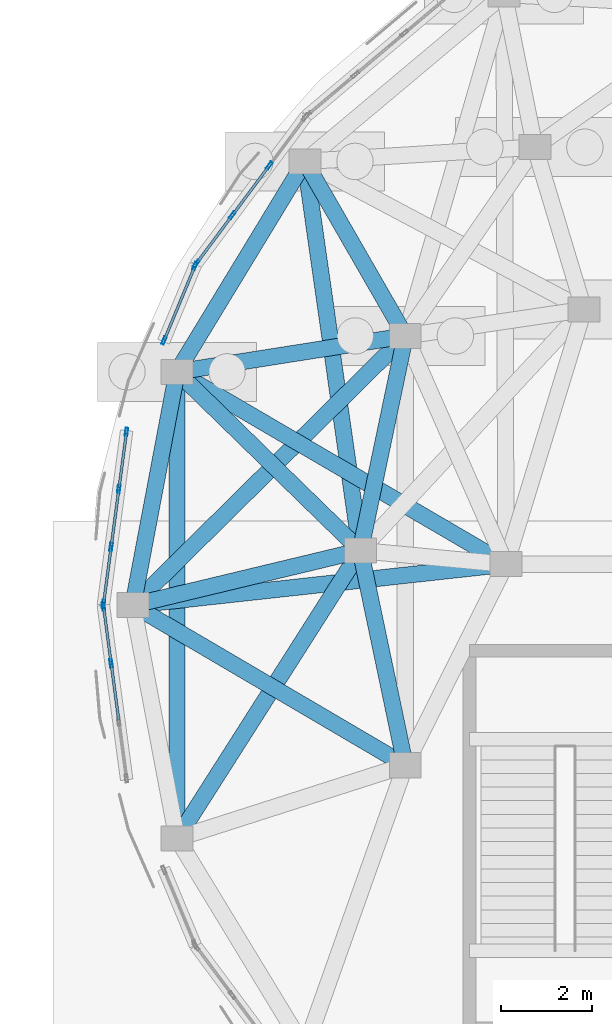
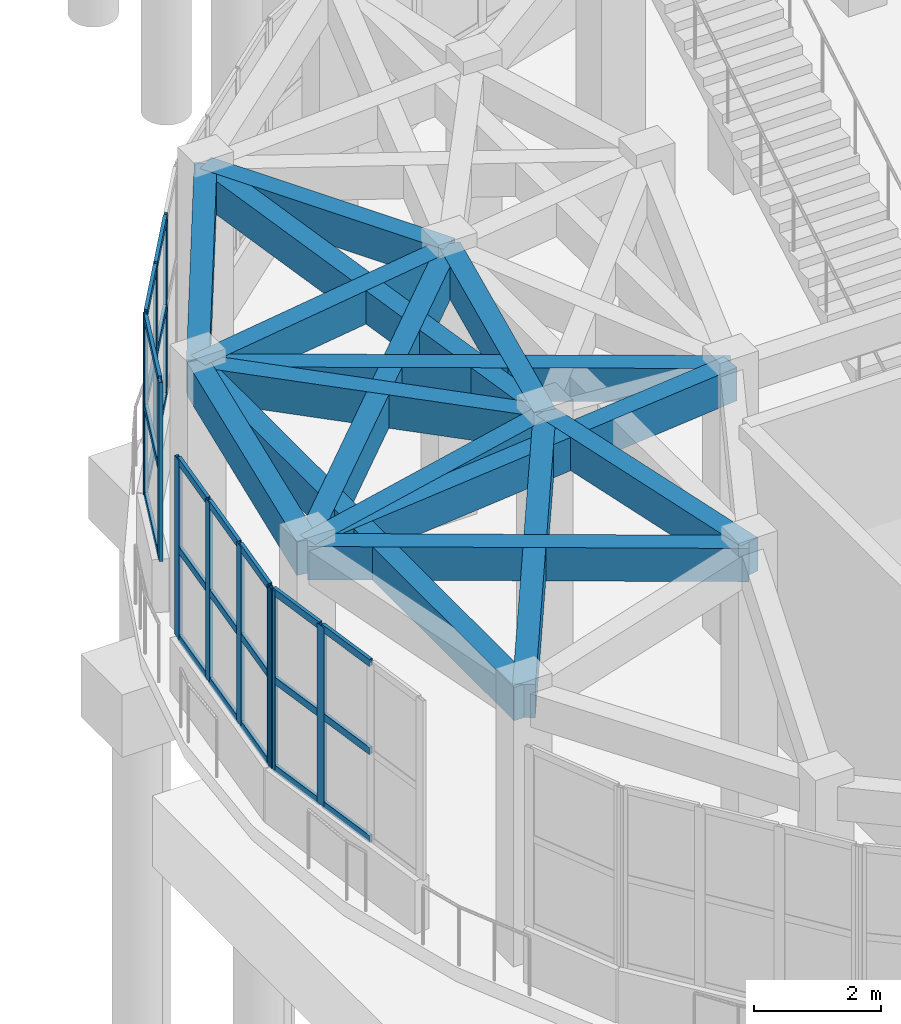
# One storey, part 15 of 96: 35 members, 15 beams, 4 elements without a shape of their own.
"""IFC4 building model written with IfcOpenShell, lengths in metres."""

from ifc_helpers import new_model, si_unit, direction, frame, origin, origin_2d, place, context, subcontext, project, spatial, rectangle, hollow_rectangle, extrude, material, layer, layer_set, material_profile, profile_set, type_object, element, aggregate, save


model = new_model("IFC4")

# Units and contexts
model_context = context("Model", 3, precision=1e-05, world=origin(), true_north=direction((0.0, 1.0)))
body_context = subcontext(model_context, "Body", "Model", "MODEL_VIEW")
ifc_project = project(units=[si_unit("LENGTHUNIT", "METRE"), si_unit("AREAUNIT", "SQUARE_METRE"), si_unit("VOLUMEUNIT", "CUBIC_METRE"), si_unit("PLANEANGLEUNIT", "RADIAN"), si_unit("MASSUNIT", "GRAM", prefix="KILO")], contexts=[model_context])

# Site, building, storey
site_placement = place(None, origin())
site = spatial("IfcSite", under=ifc_project, at=site_placement, CompositionType="ELEMENT")
building_placement = place(site_placement, origin())
building = spatial("IfcBuilding", under=site, at=building_placement, Name="Pelvatis Terrace Science Centre", CompositionType="ELEMENT")
storey_placement = place(building_placement, origin())
storey = spatial("IfcBuildingStorey", under=building, at=storey_placement, Name="L00", CompositionType="ELEMENT", Elevation=0.0)

# Curtain wall, members
ifc_material_1 = material(Name="Bronze-anodised aluminium and laminated glass", Category="aluminium")
ifc_layer = layer(ifc_material_1, 0.179931640625)
ifc_layer_set = layer_set([ifc_layer], Name="Bronze-anodised aluminium and laminated glass")
curtain_wall_type = type_object("IfcCurtainWallType", Name="CW-RIBBON-A", PredefinedType="NOTDEFINED", material=ifc_layer_set)
curtain_wall_1_placement = place(storey_placement, origin())
curtain_wall_1 = element("IfcCurtainWall", 1, at=curtain_wall_1_placement, inside=storey, type_object=curtain_wall_type, Name="Ribbon curtain wall CW-005 (L00)", PredefinedType="NOTDEFINED")
ifc_material_2 = material(Name="Bronze-anodised aluminium 6063-T6", Category="aluminium")
ifc_material_profile_1 = material_profile(ifc_material_2, hollow_rectangle(XDim=0.06005859375, YDim=0.179931640625, WallThickness=0.00390625, at=origin_2d()), Name="ALU-MUL 60x180")
ifc_profile_set_1 = profile_set([ifc_material_profile_1], Name="Bronze-anodised aluminium 6063-T6")
member_type_1 = type_object("IfcMemberType", Name="CWM-60x180", PredefinedType="MULLION", material=ifc_profile_set_1)
member_1_placement = place(storey_placement, frame((28.79931640625, 43.864990234375, 1.02001953125), z_axis=(0.0, 0.0, 1.0), x_axis=(0.801964132065, -0.597372187903, 0.0)))
member_1 = element("IfcMember", 2, at=member_1_placement, type_object=member_type_1, Name="CW-005 mullion 2", PredefinedType="MULLION", context=body_context, shape_type="SweptSolid", body=[
    extrude(hollow_rectangle(XDim=0.06005859375, YDim=0.179931640625, WallThickness=0.00390625, at=origin_2d()), origin(), (0.0, 0.0, 1.0), 3.43994140625),
])
member_2_placement = place(storey_placement, frame((27.9873046875, 42.774658203125, 1.02001953125), z_axis=(0.0, 0.0, 1.0), x_axis=(0.801964132065, -0.597372187903, 0.0)))
member_2 = element("IfcMember", 3, at=member_2_placement, type_object=member_type_1, Name="CW-005 mullion 3", PredefinedType="MULLION", context=body_context, shape_type="SweptSolid", body=[
    extrude(hollow_rectangle(XDim=0.06005859375, YDim=0.179931640625, WallThickness=0.00390625, at=origin_2d()), origin(), (0.0, 0.0, 1.0), 3.43994140625),
])
member_3_placement = place(storey_placement, frame((27.193115234375, 41.70849609375, 1.02001953125), z_axis=(0.0, 0.0, 1.0), x_axis=(0.801964132065, -0.597372187903, 0.0)))
member_3 = element("IfcMember", 4, at=member_3_placement, type_object=member_type_1, Name="CW-005 mullion 4", PredefinedType="MULLION", context=body_context, shape_type="SweptSolid", body=[
    extrude(hollow_rectangle(XDim=0.06005859375, YDim=0.179931640625, WallThickness=0.00390625, at=origin_2d()), origin(), (0.0, 0.0, 1.0), 3.43994140625),
])

curtain_wall_2_placement = place(storey_placement, origin())
curtain_wall_2 = element("IfcCurtainWall", 5, at=curtain_wall_2_placement, inside=storey, type_object=curtain_wall_type, Name="Ribbon curtain wall CW-006 (L00)", PredefinedType="NOTDEFINED")
member_4_placement = place(storey_placement, frame((27.163818359375, 41.65673828125, 1.02001953125), z_axis=(0.0, 0.0, 1.0), x_axis=(0.923673750881, -0.383179855854, 0.0)))
member_4 = element("IfcMember", 6, at=member_4_placement, type_object=member_type_1, Name="CW-006 mullion 1", PredefinedType="MULLION", context=body_context, shape_type="SweptSolid", body=[
    extrude(hollow_rectangle(XDim=0.06005859375, YDim=0.179931640625, WallThickness=0.00390625, at=origin_2d()), origin(), (0.0, 0.0, 1.0), 3.43994140625),
])
member_5_placement = place(storey_placement, frame((26.485107421875, 40.021240234375, 1.02001953125), z_axis=(0.0, 0.0, 1.0), x_axis=(0.923673750881, -0.383179855854, 0.0)))
member_5 = element("IfcMember", 7, at=member_5_placement, type_object=member_type_1, Name="CW-006 mullion 2", PredefinedType="MULLION", context=body_context, shape_type="SweptSolid", body=[
    extrude(hollow_rectangle(XDim=0.06005859375, YDim=0.179931640625, WallThickness=0.00390625, at=origin_2d()), origin(), (0.0, 0.0, 1.0), 3.43994140625),
])

curtain_wall_3_placement = place(storey_placement, origin())
curtain_wall_3 = element("IfcCurtainWall", 8, at=curtain_wall_3_placement, inside=storey, type_object=curtain_wall_type, Name="Ribbon curtain wall CW-007 (L00)", PredefinedType="NOTDEFINED")
member_6_placement = place(storey_placement, frame((25.65869140625, 38.0087890625, 1.02001953125), z_axis=(0.0, 0.0, 1.0), x_axis=(0.991197428615, -0.132392059832, 0.0)))
member_6 = element("IfcMember", 9, at=member_6_placement, type_object=member_type_1, Name="CW-007 mullion 1", PredefinedType="MULLION", context=body_context, shape_type="SweptSolid", body=[
    extrude(hollow_rectangle(XDim=0.06005859375, YDim=0.179931640625, WallThickness=0.00390625, at=origin_2d()), origin(), (0.0, 0.0, 1.0), 3.43994140625),
])
member_7_placement = place(storey_placement, frame((25.49169921875, 36.759033203125, 1.02001953125), z_axis=(0.0, 0.0, 1.0), x_axis=(0.991197428615, -0.132392059832, 0.0)))
member_7 = element("IfcMember", 10, at=member_7_placement, type_object=member_type_1, Name="CW-007 mullion 2", PredefinedType="MULLION", context=body_context, shape_type="SweptSolid", body=[
    extrude(hollow_rectangle(XDim=0.06005859375, YDim=0.179931640625, WallThickness=0.00390625, at=origin_2d()), origin(), (0.0, 0.0, 1.0), 3.43994140625),
])
member_8_placement = place(storey_placement, frame((25.32080078125, 35.4794921875, 1.02001953125), z_axis=(0.0, 0.0, 1.0), x_axis=(0.991197428615, -0.132392059832, 0.0)))
member_8 = element("IfcMember", 11, at=member_8_placement, type_object=member_type_1, Name="CW-007 mullion 3", PredefinedType="MULLION", context=body_context, shape_type="SweptSolid", body=[
    extrude(hollow_rectangle(XDim=0.06005859375, YDim=0.179931640625, WallThickness=0.00390625, at=origin_2d()), origin(), (0.0, 0.0, 1.0), 3.43994140625),
])
member_9_placement = place(storey_placement, frame((25.154052734375, 34.229736328125, 1.02001953125), z_axis=(0.0, 0.0, 1.0), x_axis=(0.991197428615, -0.132392059832, 0.0)))
member_9 = element("IfcMember", 12, at=member_9_placement, type_object=member_type_1, Name="CW-007 mullion 4", PredefinedType="MULLION", context=body_context, shape_type="SweptSolid", body=[
    extrude(hollow_rectangle(XDim=0.06005859375, YDim=0.179931640625, WallThickness=0.00390625, at=origin_2d()), origin(), (0.0, 0.0, 1.0), 3.43994140625),
])

curtain_wall_4_placement = place(storey_placement, origin())
curtain_wall_4 = element("IfcCurtainWall", 13, at=curtain_wall_4_placement, inside=storey, type_object=curtain_wall_type, Name="Ribbon curtain wall CW-008 (L00)", PredefinedType="NOTDEFINED")
member_10_placement = place(storey_placement, frame((25.154052734375, 34.170166015625, 1.02001953125), z_axis=(0.0, 0.0, 1.0), x_axis=(0.991197428615, 0.132392059832, 0.0)))
member_10 = element("IfcMember", 14, at=member_10_placement, type_object=member_type_1, Name="CW-008 mullion 1", PredefinedType="MULLION", context=body_context, shape_type="SweptSolid", body=[
    extrude(hollow_rectangle(XDim=0.06005859375, YDim=0.179931640625, WallThickness=0.00390625, at=origin_2d()), origin(), (0.0, 0.0, 1.0), 3.43994140625),
])
member_11_placement = place(storey_placement, frame((25.32080078125, 32.92041015625, 1.02001953125), z_axis=(0.0, 0.0, 1.0), x_axis=(0.991197428615, 0.132392059832, 0.0)))
member_11 = element("IfcMember", 15, at=member_11_placement, type_object=member_type_1, Name="CW-008 mullion 2", PredefinedType="MULLION", context=body_context, shape_type="SweptSolid", body=[
    extrude(hollow_rectangle(XDim=0.06005859375, YDim=0.179931640625, WallThickness=0.00390625, at=origin_2d()), origin(), (0.0, 0.0, 1.0), 3.43994140625),
])

# Member
ifc_material_3 = material(Name="Bronze-anodised aluminium 6063-T6", Category="aluminium")
ifc_material_profile_2 = material_profile(ifc_material_3, hollow_rectangle(XDim=0.06005859375, YDim=0.139892578125, WallThickness=0.00390625, at=origin_2d()), Name="ALU-TRN 60x140")
ifc_profile_set_2 = profile_set([ifc_material_profile_2], Name="Bronze-anodised aluminium 6063-T6")
member_type_2 = type_object("IfcMemberType", Name="CWT-60x140", PredefinedType="USERDEFINED", material=ifc_profile_set_2)
member_12_placement = place(storey_placement, frame((28.781494140625, 43.8408203125, 1.050048828125), z_axis=(-0.597471846997, -0.801889887731, 0.0), x_axis=(0.801889887731, -0.597471846997, 0.0)))
member_12 = element("IfcMember", 16, at=member_12_placement, type_object=member_type_2, Name="CW-005 transom 2.1", ObjectType="TRANSOM", PredefinedType="USERDEFINED", context=body_context, shape_type="SweptSolid", body=[
    extrude(hollow_rectangle(XDim=0.06005859375, YDim=0.139892578125, WallThickness=0.00390625, at=origin_2d()), origin(), (0.0, 0.0, 1.0), 1.29931640625),
])

member_13_placement = place(storey_placement, frame((28.781494140625, 43.8408203125, 2.739990234375), z_axis=(-0.597471846997, -0.801889887731, 0.0), x_axis=(0.801889887731, -0.597471846997, 0.0)))
member_13 = element("IfcMember", 17, at=member_13_placement, type_object=member_type_2, Name="CW-005 transom 2.2", ObjectType="TRANSOM", PredefinedType="USERDEFINED", context=body_context, shape_type="SweptSolid", body=[
    extrude(hollow_rectangle(XDim=0.06005859375, YDim=0.139892578125, WallThickness=0.00390625, at=origin_2d()), origin(), (0.0, 0.0, 1.0), 1.29931640625),
])

member_14_placement = place(storey_placement, frame((28.781494140625, 43.8408203125, 4.429931640625), z_axis=(-0.597471846997, -0.801889887731, 0.0), x_axis=(0.801889887731, -0.597471846997, 0.0)))
member_14 = element("IfcMember", 18, at=member_14_placement, type_object=member_type_2, Name="CW-005 transom 2.3", ObjectType="TRANSOM", PredefinedType="USERDEFINED", context=body_context, shape_type="SweptSolid", body=[
    extrude(hollow_rectangle(XDim=0.06005859375, YDim=0.139892578125, WallThickness=0.00390625, at=origin_2d()), origin(), (0.0, 0.0, 1.0), 1.29931640625),
])

member_15_placement = place(storey_placement, frame((27.969482421875, 42.750732421875, 1.050048828125), z_axis=(-0.597474048889, -0.801888247142, 0.0), x_axis=(0.801888247142, -0.597474048889, 0.0)))
member_15 = element("IfcMember", 19, at=member_15_placement, type_object=member_type_2, Name="CW-005 transom 3.1", ObjectType="TRANSOM", PredefinedType="USERDEFINED", context=body_context, shape_type="SweptSolid", body=[
    extrude(hollow_rectangle(XDim=0.06005859375, YDim=0.139892578125, WallThickness=0.00390625, at=origin_2d()), origin(), (0.0, 0.0, 1.0), 1.26953125),
])

member_16_placement = place(storey_placement, frame((27.969482421875, 42.750732421875, 2.739990234375), z_axis=(-0.597474048889, -0.801888247142, 0.0), x_axis=(0.801888247142, -0.597474048889, 0.0)))
member_16 = element("IfcMember", 20, at=member_16_placement, type_object=member_type_2, Name="CW-005 transom 3.2", ObjectType="TRANSOM", PredefinedType="USERDEFINED", context=body_context, shape_type="SweptSolid", body=[
    extrude(hollow_rectangle(XDim=0.06005859375, YDim=0.139892578125, WallThickness=0.00390625, at=origin_2d()), origin(), (0.0, 0.0, 1.0), 1.26953125),
])

member_17_placement = place(storey_placement, frame((27.969482421875, 42.750732421875, 4.429931640625), z_axis=(-0.597474048889, -0.801888247142, 0.0), x_axis=(0.801888247142, -0.597474048889, 0.0)))
member_17 = element("IfcMember", 21, at=member_17_placement, type_object=member_type_2, Name="CW-005 transom 3.3", ObjectType="TRANSOM", PredefinedType="USERDEFINED", context=body_context, shape_type="SweptSolid", body=[
    extrude(hollow_rectangle(XDim=0.06005859375, YDim=0.139892578125, WallThickness=0.00390625, at=origin_2d()), origin(), (0.0, 0.0, 1.0), 1.26953125),
])

aggregate(curtain_wall_1, [member_1, member_2, member_3, member_12, member_13, member_14, member_15, member_16, member_17])

member_18_placement = place(storey_placement, frame((27.152099609375, 41.629150390625, 1.050048828125), z_axis=(-0.383145693103, -0.923687922329, 0.0), x_axis=(0.923687922329, -0.383145693103, 0.0)))
member_18 = element("IfcMember", 22, at=member_18_placement, type_object=member_type_2, Name="CW-006 transom 1.1", ObjectType="TRANSOM", PredefinedType="USERDEFINED", context=body_context, shape_type="SweptSolid", body=[
    extrude(hollow_rectangle(XDim=0.06005859375, YDim=0.139892578125, WallThickness=0.00390625, at=origin_2d()), origin(), (0.0, 0.0, 1.0), 1.7109375),
])

member_19_placement = place(storey_placement, frame((27.152099609375, 41.629150390625, 2.739990234375), z_axis=(-0.383145693103, -0.923687922329, 0.0), x_axis=(0.923687922329, -0.383145693103, 0.0)))
member_19 = element("IfcMember", 23, at=member_19_placement, type_object=member_type_2, Name="CW-006 transom 1.2", ObjectType="TRANSOM", PredefinedType="USERDEFINED", context=body_context, shape_type="SweptSolid", body=[
    extrude(hollow_rectangle(XDim=0.06005859375, YDim=0.139892578125, WallThickness=0.00390625, at=origin_2d()), origin(), (0.0, 0.0, 1.0), 1.7109375),
])

member_20_placement = place(storey_placement, frame((27.152099609375, 41.629150390625, 4.429931640625), z_axis=(-0.383145693103, -0.923687922329, 0.0), x_axis=(0.923687922329, -0.383145693103, 0.0)))
member_20 = element("IfcMember", 24, at=member_20_placement, type_object=member_type_2, Name="CW-006 transom 1.3", ObjectType="TRANSOM", PredefinedType="USERDEFINED", context=body_context, shape_type="SweptSolid", body=[
    extrude(hollow_rectangle(XDim=0.06005859375, YDim=0.139892578125, WallThickness=0.00390625, at=origin_2d()), origin(), (0.0, 0.0, 1.0), 1.7109375),
])

aggregate(curtain_wall_2, [member_4, member_5, member_18, member_19, member_20])

member_21_placement = place(storey_placement, frame((25.65478515625, 37.97900390625, 1.050048828125), z_axis=(-0.13236348924, -0.991201244307, 0.0), x_axis=(0.991201244307, -0.13236348924, 0.0)))
member_21 = element("IfcMember", 25, at=member_21_placement, type_object=member_type_2, Name="CW-007 transom 1.1", ObjectType="TRANSOM", PredefinedType="USERDEFINED", context=body_context, shape_type="SweptSolid", body=[
    extrude(hollow_rectangle(XDim=0.06005859375, YDim=0.139892578125, WallThickness=0.00390625, at=origin_2d()), origin(), (0.0, 0.0, 1.0), 1.20068359375),
])

member_22_placement = place(storey_placement, frame((25.65478515625, 37.97900390625, 2.739990234375), z_axis=(-0.13236348924, -0.991201244307, 0.0), x_axis=(0.991201244307, -0.13236348924, 0.0)))
member_22 = element("IfcMember", 26, at=member_22_placement, type_object=member_type_2, Name="CW-007 transom 1.2", ObjectType="TRANSOM", PredefinedType="USERDEFINED", context=body_context, shape_type="SweptSolid", body=[
    extrude(hollow_rectangle(XDim=0.06005859375, YDim=0.139892578125, WallThickness=0.00390625, at=origin_2d()), origin(), (0.0, 0.0, 1.0), 1.20068359375),
])

member_23_placement = place(storey_placement, frame((25.65478515625, 37.97900390625, 4.429931640625), z_axis=(-0.13236348924, -0.991201244307, 0.0), x_axis=(0.991201244307, -0.13236348924, 0.0)))
member_23 = element("IfcMember", 27, at=member_23_placement, type_object=member_type_2, Name="CW-007 transom 1.3", ObjectType="TRANSOM", PredefinedType="USERDEFINED", context=body_context, shape_type="SweptSolid", body=[
    extrude(hollow_rectangle(XDim=0.06005859375, YDim=0.139892578125, WallThickness=0.00390625, at=origin_2d()), origin(), (0.0, 0.0, 1.0), 1.20068359375),
])

member_24_placement = place(storey_placement, frame((25.48779296875, 36.729248046875, 1.050048828125), z_axis=(-0.132306642426, -0.991208833884, 0.0), x_axis=(0.991208833884, -0.132306642426, 0.0)))
member_24 = element("IfcMember", 28, at=member_24_placement, type_object=member_type_2, Name="CW-007 transom 2.1", ObjectType="TRANSOM", PredefinedType="USERDEFINED", context=body_context, shape_type="SweptSolid", body=[
    extrude(hollow_rectangle(XDim=0.06005859375, YDim=0.139892578125, WallThickness=0.00390625, at=origin_2d()), origin(), (0.0, 0.0, 1.0), 1.230712890625),
])

member_25_placement = place(storey_placement, frame((25.48779296875, 36.729248046875, 2.739990234375), z_axis=(-0.132306642426, -0.991208833884, 0.0), x_axis=(0.991208833884, -0.132306642426, 0.0)))
member_25 = element("IfcMember", 29, at=member_25_placement, type_object=member_type_2, Name="CW-007 transom 2.2", ObjectType="TRANSOM", PredefinedType="USERDEFINED", context=body_context, shape_type="SweptSolid", body=[
    extrude(hollow_rectangle(XDim=0.06005859375, YDim=0.139892578125, WallThickness=0.00390625, at=origin_2d()), origin(), (0.0, 0.0, 1.0), 1.230712890625),
])

member_26_placement = place(storey_placement, frame((25.48779296875, 36.729248046875, 4.429931640625), z_axis=(-0.132306642426, -0.991208833884, 0.0), x_axis=(0.991208833884, -0.132306642426, 0.0)))
member_26 = element("IfcMember", 30, at=member_26_placement, type_object=member_type_2, Name="CW-007 transom 2.3", ObjectType="TRANSOM", PredefinedType="USERDEFINED", context=body_context, shape_type="SweptSolid", body=[
    extrude(hollow_rectangle(XDim=0.06005859375, YDim=0.139892578125, WallThickness=0.00390625, at=origin_2d()), origin(), (0.0, 0.0, 1.0), 1.230712890625),
])

member_27_placement = place(storey_placement, frame((25.31689453125, 35.44970703125, 1.050048828125), z_axis=(-0.13236348924, -0.991201244307, 0.0), x_axis=(0.991201244307, -0.13236348924, 0.0)))
member_27 = element("IfcMember", 31, at=member_27_placement, type_object=member_type_2, Name="CW-007 transom 3.1", ObjectType="TRANSOM", PredefinedType="USERDEFINED", context=body_context, shape_type="SweptSolid", body=[
    extrude(hollow_rectangle(XDim=0.06005859375, YDim=0.139892578125, WallThickness=0.00390625, at=origin_2d()), origin(), (0.0, 0.0, 1.0), 1.20068359375),
])

member_28_placement = place(storey_placement, frame((25.31689453125, 35.44970703125, 2.739990234375), z_axis=(-0.13236348924, -0.991201244307, 0.0), x_axis=(0.991201244307, -0.13236348924, 0.0)))
member_28 = element("IfcMember", 32, at=member_28_placement, type_object=member_type_2, Name="CW-007 transom 3.2", ObjectType="TRANSOM", PredefinedType="USERDEFINED", context=body_context, shape_type="SweptSolid", body=[
    extrude(hollow_rectangle(XDim=0.06005859375, YDim=0.139892578125, WallThickness=0.00390625, at=origin_2d()), origin(), (0.0, 0.0, 1.0), 1.20068359375),
])

member_29_placement = place(storey_placement, frame((25.31689453125, 35.44970703125, 4.429931640625), z_axis=(-0.13236348924, -0.991201244307, 0.0), x_axis=(0.991201244307, -0.13236348924, 0.0)))
member_29 = element("IfcMember", 33, at=member_29_placement, type_object=member_type_2, Name="CW-007 transom 3.3", ObjectType="TRANSOM", PredefinedType="USERDEFINED", context=body_context, shape_type="SweptSolid", body=[
    extrude(hollow_rectangle(XDim=0.06005859375, YDim=0.139892578125, WallThickness=0.00390625, at=origin_2d()), origin(), (0.0, 0.0, 1.0), 1.20068359375),
])

aggregate(curtain_wall_3, [member_6, member_7, member_8, member_9, member_21, member_22, member_23, member_24, member_25, member_26, member_27, member_28, member_29])

member_30_placement = place(storey_placement, frame((25.157958984375, 34.140625, 1.050048828125), z_axis=(0.132336818778, -0.991204805474, 0.0), x_axis=(0.991204805474, 0.132336818778, 0.0)))
member_30 = element("IfcMember", 34, at=member_30_placement, type_object=member_type_2, Name="CW-008 transom 1.1", ObjectType="TRANSOM", PredefinedType="USERDEFINED", context=body_context, shape_type="SweptSolid", body=[
    extrude(hollow_rectangle(XDim=0.06005859375, YDim=0.139892578125, WallThickness=0.00390625, at=origin_2d()), origin(), (0.0, 0.0, 1.0), 1.200927734375),
])

member_31_placement = place(storey_placement, frame((25.157958984375, 34.140625, 2.739990234375), z_axis=(0.132336818778, -0.991204805474, 0.0), x_axis=(0.991204805474, 0.132336818778, 0.0)))
member_31 = element("IfcMember", 35, at=member_31_placement, type_object=member_type_2, Name="CW-008 transom 1.2", ObjectType="TRANSOM", PredefinedType="USERDEFINED", context=body_context, shape_type="SweptSolid", body=[
    extrude(hollow_rectangle(XDim=0.06005859375, YDim=0.139892578125, WallThickness=0.00390625, at=origin_2d()), origin(), (0.0, 0.0, 1.0), 1.200927734375),
])

member_32_placement = place(storey_placement, frame((25.157958984375, 34.140625, 4.429931640625), z_axis=(0.132336818778, -0.991204805474, 0.0), x_axis=(0.991204805474, 0.132336818778, 0.0)))
member_32 = element("IfcMember", 36, at=member_32_placement, type_object=member_type_2, Name="CW-008 transom 1.3", ObjectType="TRANSOM", PredefinedType="USERDEFINED", context=body_context, shape_type="SweptSolid", body=[
    extrude(hollow_rectangle(XDim=0.06005859375, YDim=0.139892578125, WallThickness=0.00390625, at=origin_2d()), origin(), (0.0, 0.0, 1.0), 1.200927734375),
])

member_33_placement = place(storey_placement, frame((25.324951171875, 32.890869140625, 1.050048828125), z_axis=(0.132280633764, -0.991212305175, 0.0), x_axis=(0.991212305175, 0.132280633764, 0.0)))
member_33 = element("IfcMember", 37, at=member_33_placement, type_object=member_type_2, Name="CW-008 transom 2.1", ObjectType="TRANSOM", PredefinedType="USERDEFINED", context=body_context, shape_type="SweptSolid", body=[
    extrude(hollow_rectangle(XDim=0.06005859375, YDim=0.139892578125, WallThickness=0.00390625, at=origin_2d()), origin(), (0.0, 0.0, 1.0), 1.23095703125),
])

member_34_placement = place(storey_placement, frame((25.324951171875, 32.890869140625, 2.739990234375), z_axis=(0.132280633764, -0.991212305175, 0.0), x_axis=(0.991212305175, 0.132280633764, 0.0)))
member_34 = element("IfcMember", 38, at=member_34_placement, type_object=member_type_2, Name="CW-008 transom 2.2", ObjectType="TRANSOM", PredefinedType="USERDEFINED", context=body_context, shape_type="SweptSolid", body=[
    extrude(hollow_rectangle(XDim=0.06005859375, YDim=0.139892578125, WallThickness=0.00390625, at=origin_2d()), origin(), (0.0, 0.0, 1.0), 1.23095703125),
])

member_35_placement = place(storey_placement, frame((25.324951171875, 32.890869140625, 4.429931640625), z_axis=(0.132280633764, -0.991212305175, 0.0), x_axis=(0.991212305175, 0.132280633764, 0.0)))
member_35 = element("IfcMember", 39, at=member_35_placement, type_object=member_type_2, Name="CW-008 transom 2.3", ObjectType="TRANSOM", PredefinedType="USERDEFINED", context=body_context, shape_type="SweptSolid", body=[
    extrude(hollow_rectangle(XDim=0.06005859375, YDim=0.139892578125, WallThickness=0.00390625, at=origin_2d()), origin(), (0.0, 0.0, 1.0), 1.23095703125),
])

aggregate(curtain_wall_4, [member_10, member_11, member_30, member_31, member_32, member_33, member_34, member_35])

# Beams
ifc_material_4 = material(Name="Concrete C35/45", Category="concrete")
ifc_material_profile_3 = material_profile(ifc_material_4, rectangle(XDim=0.360107421875, YDim=0.639892578125, at=origin_2d()), Name="RC-SPN 360x640")
ifc_profile_set_3 = profile_set([ifc_material_profile_3], Name="Concrete C35/45")
beam_type = type_object("IfcBeamType", Name="SPN-RC-360x640", PredefinedType="SPANDREL", material=ifc_profile_set_3)
beam_1_placement = place(storey_placement, frame((31.7890625, 40.119873046875, 4.820068359375), z_axis=(-0.205084222671, -0.978744329031, 0.0), x_axis=(0.978744329031, -0.205084222671, 0.0)))
element("IfcBeam", 40, at=beam_1_placement, inside=storey, type_object=beam_type, Name="Spandrel SP-L00-2325", PredefinedType="SPANDREL", context=body_context, shape_type="SweptSolid", body=[
    extrude(rectangle(XDim=0.360107421875, YDim=0.639892578125, at=origin_2d()), origin(), (0.0, 0.0, 1.0), 4.822509765625),
])
beam_2_placement = place(storey_placement, frame((31.7890625, 40.119873046875, 4.820068359375), z_axis=(-0.498643110206, 0.866807388434, 0.0), x_axis=(-0.866807388434, -0.498643110206, 0.0)))
element("IfcBeam", 41, at=beam_2_placement, inside=storey, type_object=beam_type, Name="Spandrel SP-L00-2328", PredefinedType="SPANDREL", context=body_context, shape_type="SweptSolid", body=[
    extrude(rectangle(XDim=0.360107421875, YDim=0.639892578125, at=origin_2d()), origin(), (0.0, 0.0, 1.0), 4.427001953125),
])
beam_3_placement = place(storey_placement, frame((31.7890625, 40.119873046875, 4.820068359375), z_axis=(-0.987834145704, -0.155511094721, 0.0), x_axis=(0.155511094721, -0.987834145704, 0.0)))
element("IfcBeam", 42, at=beam_3_placement, inside=storey, type_object=beam_type, Name="Spandrel SP-L00-2329", PredefinedType="SPANDREL", context=body_context, shape_type="SweptSolid", body=[
    extrude(rectangle(XDim=0.360107421875, YDim=0.639892578125, at=origin_2d()), origin(), (0.0, 0.0, 1.0), 5.081787109375),
])
beam_4_placement = place(storey_placement, frame((31.7890625, 40.119873046875, 4.820068359375), z_axis=(-0.711197217146, -0.702992544999, 0.0), x_axis=(0.702992544999, -0.711197217146, 0.0)))
element("IfcBeam", 43, at=beam_4_placement, inside=storey, type_object=beam_type, Name="Spandrel SP-L00-2330", PredefinedType="SPANDREL", context=body_context, shape_type="SweptSolid", body=[
    extrude(rectangle(XDim=0.360107421875, YDim=0.639892578125, at=origin_2d()), origin(), (0.0, 0.0, 1.0), 8.421142578125),
])
beam_5_placement = place(storey_placement, frame((30.800048828125, 35.39990234375, 4.820068359375), z_axis=(0.205094384984, -0.978742199585, 0.0), x_axis=(0.978742199585, 0.205094384984, 0.0)))
element("IfcBeam", 44, at=beam_5_placement, inside=storey, type_object=beam_type, Name="Spandrel SP-L00-2333", PredefinedType="SPANDREL", context=body_context, shape_type="SweptSolid", body=[
    extrude(rectangle(XDim=0.360107421875, YDim=0.639892578125, at=origin_2d()), origin(), (0.0, 0.0, 1.0), 4.822265625),
])
beam_6_placement = place(storey_placement, frame((30.800048828125, 35.39990234375, 4.820068359375), z_axis=(-0.140970552151, 0.990013789513, 0.0), x_axis=(-0.990013789513, -0.140970552151, 0.0)))
element("IfcBeam", 45, at=beam_6_placement, inside=storey, type_object=beam_type, Name="Spandrel SP-L00-2334", PredefinedType="SPANDREL", context=body_context, shape_type="SweptSolid", body=[
    extrude(rectangle(XDim=0.360107421875, YDim=0.639892578125, at=origin_2d()), origin(), (0.0, 0.0, 1.0), 8.643798828125),
])
beam_7_placement = place(storey_placement, frame((30.800048828125, 35.39990234375, 4.820068359375), z_axis=(-0.716048369307, 0.698050666365, 0.0), x_axis=(-0.698050666365, -0.716048369307, 0.0)))
element("IfcBeam", 46, at=beam_7_placement, inside=storey, type_object=beam_type, Name="Spandrel SP-L00-2335", PredefinedType="SPANDREL", context=body_context, shape_type="SweptSolid", body=[
    extrude(rectangle(XDim=0.360107421875, YDim=0.639892578125, at=origin_2d()), origin(), (0.0, 0.0, 1.0), 5.62939453125),
])
beam_8_placement = place(storey_placement, frame((30.800048828125, 35.39990234375, 4.820068359375), z_axis=(-0.972389456854, -0.233363973654, 0.0), x_axis=(0.233363973654, -0.972389456854, 0.0)))
element("IfcBeam", 47, at=beam_8_placement, inside=storey, type_object=beam_type, Name="Spandrel SP-L00-2336", PredefinedType="SPANDREL", context=body_context, shape_type="SweptSolid", body=[
    extrude(rectangle(XDim=0.360107421875, YDim=0.639892578125, at=origin_2d()), origin(), (0.0, 0.0, 1.0), 5.14208984375),
])
beam_9_placement = place(storey_placement, frame((30.800048828125, 35.39990234375, 4.820068359375), z_axis=(-0.537168074089, -0.843475227959, 0.0), x_axis=(0.843475227959, -0.537168074089, 0.0)))
element("IfcBeam", 48, at=beam_9_placement, inside=storey, type_object=beam_type, Name="Spandrel SP-L00-2337", PredefinedType="SPANDREL", context=body_context, shape_type="SweptSolid", body=[
    extrude(rectangle(XDim=0.360107421875, YDim=0.639892578125, at=origin_2d()), origin(), (0.0, 0.0, 1.0), 7.504150390625),
])
beam_10_placement = place(storey_placement, frame((31.7890625, 30.68017578125, 4.820068359375), z_axis=(-0.862133813395, 0.506680656627, 0.0), x_axis=(-0.506680656627, -0.862133813395, 0.0)))
element("IfcBeam", 49, at=beam_10_placement, inside=storey, type_object=beam_type, Name="Spandrel SP-L00-2340", PredefinedType="SPANDREL", context=body_context, shape_type="SweptSolid", body=[
    extrude(rectangle(XDim=0.360107421875, YDim=0.639892578125, at=origin_2d()), origin(), (0.0, 0.0, 1.0), 6.94677734375),
])
beam_11_placement = place(storey_placement, frame((29.58154296875, 43.957275390625, 4.820068359375), z_axis=(-0.519360429642, -0.854555290266, 0.0), x_axis=(0.854555290266, -0.519360429642, 0.0)))
element("IfcBeam", 50, at=beam_11_placement, inside=storey, type_object=beam_type, Name="Spandrel SP-L00-2371", PredefinedType="SPANDREL", context=body_context, shape_type="SweptSolid", body=[
    extrude(rectangle(XDim=0.360107421875, YDim=0.639892578125, at=origin_2d()), origin(), (0.0, 0.0, 1.0), 5.415283203125),
])
beam_12_placement = place(storey_placement, frame((26.76904296875, 39.32958984375, 4.820068359375), z_axis=(-0.185618314588, -0.982621921845, 0.0), x_axis=(0.982621921845, -0.185618314588, 0.0)))
element("IfcBeam", 51, at=beam_12_placement, inside=storey, type_object=beam_type, Name="Spandrel SP-L00-2373", PredefinedType="SPANDREL", context=body_context, shape_type="SweptSolid", body=[
    extrude(rectangle(XDim=0.360107421875, YDim=0.639892578125, at=origin_2d()), origin(), (0.0, 0.0, 1.0), 5.220458984375),
])
beam_13_placement = place(storey_placement, frame((26.76904296875, 39.32958984375, 4.820068359375), z_axis=(0.0, -1.0, 0.0), x_axis=(1.0, 0.0, 0.0)))
element("IfcBeam", 52, at=beam_13_placement, inside=storey, type_object=beam_type, Name="Spandrel SP-L00-2374", PredefinedType="SPANDREL", context=body_context, shape_type="SweptSolid", body=[
    extrude(rectangle(XDim=0.360107421875, YDim=0.639892578125, at=origin_2d()), origin(), (0.0, 0.0, 1.0), 10.25927734375),
])
beam_14_placement = place(storey_placement, frame((26.76904296875, 39.32958984375, 4.820068359375), z_axis=(0.863184248082, -0.504889051043, 0.0), x_axis=(0.504889051043, 0.863184248082, 0.0)))
element("IfcBeam", 53, at=beam_14_placement, inside=storey, type_object=beam_type, Name="Spandrel SP-L00-2375", PredefinedType="SPANDREL", context=body_context, shape_type="SweptSolid", body=[
    extrude(rectangle(XDim=0.360107421875, YDim=0.639892578125, at=origin_2d()), origin(), (0.0, 0.0, 1.0), 8.376953125),
])
beam_15_placement = place(storey_placement, frame((25.800048828125, 34.199951171875, 4.820068359375), z_axis=(0.994028680944, 0.109119115927, 0.0), x_axis=(-0.109119115927, 0.994028680944, 0.0)))
element("IfcBeam", 54, at=beam_15_placement, inside=storey, type_object=beam_type, Name="Spandrel SP-L00-2377", PredefinedType="SPANDREL", context=body_context, shape_type="SweptSolid", body=[
    extrude(rectangle(XDim=0.360107421875, YDim=0.639892578125, at=origin_2d()), origin(), (0.0, 0.0, 1.0), 8.249267578125),
])

save(model, "model.ifc")
